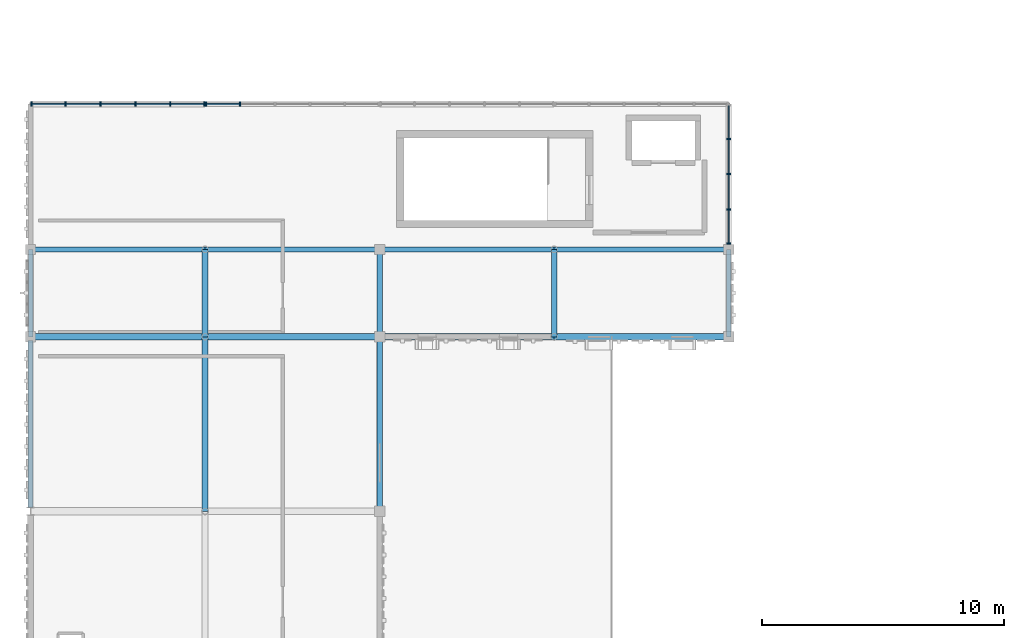
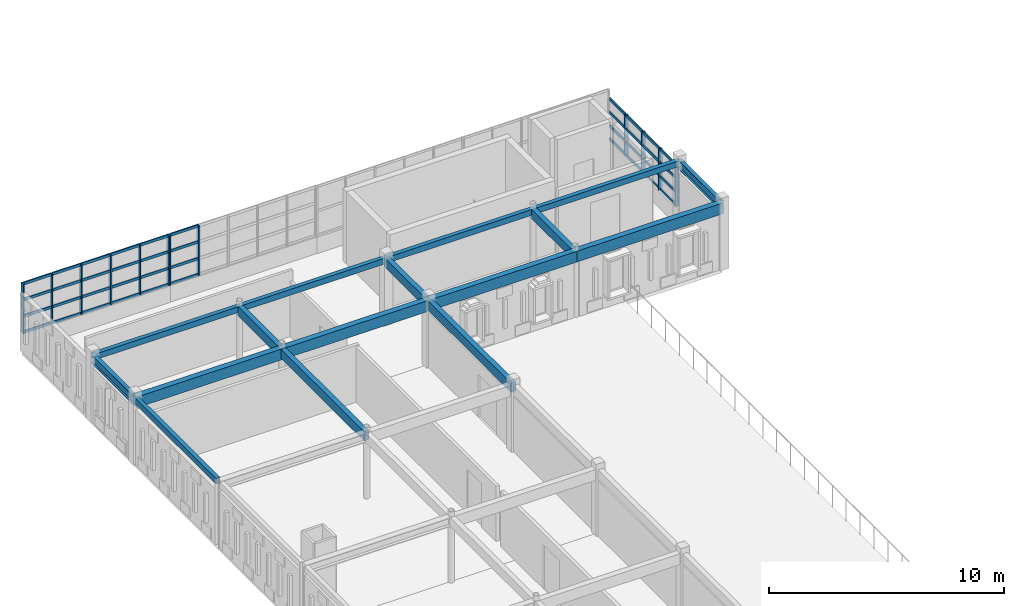
# One storey, part 12 of 46: 52 members, 16 beams, 3 elements without a shape of their own.
"""IFC4 building model written with IfcOpenShell, lengths in metres."""

from ifc_helpers import new_model, si_unit, direction, frame, origin, origin_2d, place, context, subcontext, project, spatial, rectangle, hollow_rectangle, i_section, extrude, material, material_profile, profile_set, type_object, element, aggregate, save


model = new_model("IFC4")

# Units and contexts
model_context = context("Model", 3, precision=1e-05, world=origin(), true_north=direction((0.0, 1.0)))
body_context = subcontext(model_context, "Body", "Model", "MODEL_VIEW")
ifc_project = project(units=[si_unit("LENGTHUNIT", "METRE"), si_unit("AREAUNIT", "SQUARE_METRE"), si_unit("VOLUMEUNIT", "CUBIC_METRE"), si_unit("PLANEANGLEUNIT", "RADIAN"), si_unit("MASSUNIT", "GRAM", prefix="KILO")], contexts=[model_context])

# Site, building, storey
site_placement = place(None, origin())
site = spatial("IfcSite", under=ifc_project, at=site_placement, CompositionType="ELEMENT")
building_placement = place(site_placement, origin())
building = spatial("IfcBuilding", under=site, at=building_placement, Name="Nzembalo Square Collegiate School", CompositionType="ELEMENT")
storey_placement = place(building_placement, frame((0.0, 0.0, 17.340087890625)))
storey = spatial("IfcBuildingStorey", under=building, at=storey_placement, Name="L04", CompositionType="ELEMENT", Elevation=17.340087890625)

# Beams
ifc_material_1 = material(Name="Glulam GL28h", Category="wood")
ifc_material_profile_1 = material_profile(ifc_material_1, rectangle(XDim=0.280029296875, YDim=0.56005859375, at=origin_2d()), Name="GL28h 280x560")
ifc_profile_set_1 = profile_set([ifc_material_profile_1], Name="Glulam GL28h")
beam_type_1 = type_object("IfcBeamType", Name="B05", PredefinedType="BEAM", material=ifc_profile_set_1)
beam_1_placement = place(storey_placement, frame((8.39990234375, 79.199951171875, 3.155029296875), z_axis=(1.0, 0.0, 0.0), x_axis=(0.0, 1.0, 0.0)))
element("IfcBeam", 1, at=beam_1_placement, inside=storey, type_object=beam_type_1, Name="Beam B05 L04", PredefinedType="BEAM", context=body_context, shape_type="SweptSolid", body=[
    extrude(rectangle(XDim=0.280029296875, YDim=0.56005859375, at=origin_2d()), origin(), (0.0, 0.0, 1.0), 7.2001953125),
])
for number, where, z_axis, x_axis, name in (
    (2, (15.60009765625, 79.199951171875, 3.155029296875), (1.0, 0.0, 0.0), (0.0, 1.0, 0.0), "Beam B05 L04"),
    (3, (22.800048828125, 79.199951171875, 3.155029296875), (1.0, 0.0, 0.0), (0.0, 1.0, 0.0), "Beam B05 L04"),
    (4, (30.0, 79.199951171875, 3.155029296875), (1.0, 0.0, 0.0), (0.0, 1.0, 0.0), "Beam B05 L04"),
):
    element("IfcBeam", number, at=place(storey_placement, frame(where, z_axis=z_axis, x_axis=x_axis)), inside=storey, type_object=beam_type_1, Name=name, PredefinedType="BEAM", context=body_context, shape_type="SweptSolid", body=[
        extrude(rectangle(XDim=0.280029296875, YDim=0.56005859375, at=origin_2d()), origin(), (0.0, 0.0, 1.0), 7.199951171875),
    ])
ifc_material_2 = material(Name="Glulam GL28h", Category="wood")
ifc_material_profile_2 = material_profile(ifc_material_2, rectangle(XDim=0.239990234375, YDim=0.47998046875, at=origin_2d()), Name="GL28h 240x480")
ifc_profile_set_2 = profile_set([ifc_material_profile_2], Name="Glulam GL28h")
beam_type_2 = type_object("IfcBeamType", Name="B06", PredefinedType="BEAM", material=ifc_profile_set_2)
beam_2_placement = place(storey_placement, frame((15.60009765625, 72.0, 3.19482421875), z_axis=(0.0, 1.0, 0.0), x_axis=(-1.0, 0.0, 0.0)))
element("IfcBeam", 5, at=beam_2_placement, inside=storey, type_object=beam_type_2, Name="Beam B06 L04", PredefinedType="BEAM", context=body_context, shape_type="SweptSolid", body=[
    extrude(rectangle(XDim=0.239990234375, YDim=0.47998046875, at=origin_2d()), origin(), (0.0, 0.0, 1.0), 7.199951171875),
])
beam_3_placement = place(storey_placement, frame((15.60009765625, 79.199951171875, 3.19482421875), z_axis=(0.0, 1.0, 0.0), x_axis=(-1.0, 0.0, 0.0)))
element("IfcBeam", 6, at=beam_3_placement, inside=storey, type_object=beam_type_2, Name="Beam B06 L04", PredefinedType="BEAM", context=body_context, shape_type="SweptSolid", body=[
    extrude(rectangle(XDim=0.239990234375, YDim=0.47998046875, at=origin_2d()), origin(), (0.0, 0.0, 1.0), 3.60009765625),
])
beam_4_placement = place(storey_placement, frame((22.800048828125, 72.0, 3.19482421875), z_axis=(0.0, 1.0, 0.0), x_axis=(-1.0, 0.0, 0.0)))
element("IfcBeam", 7, at=beam_4_placement, inside=storey, type_object=beam_type_2, Name="Beam B06 L04", PredefinedType="BEAM", context=body_context, shape_type="SweptSolid", body=[
    extrude(rectangle(XDim=0.239990234375, YDim=0.47998046875, at=origin_2d()), origin(), (0.0, 0.0, 1.0), 7.199951171875),
])
for number, where, z_axis, x_axis, name in (
    (8, (22.800048828125, 79.199951171875, 3.19482421875), (0.0, 1.0, 0.0), (-1.0, 0.0, 0.0), "Beam B06 L04"),
    (9, (30.0, 79.199951171875, 3.19482421875), (0.0, 1.0, 0.0), (-1.0, 0.0, 0.0), "Beam B06 L04"),
):
    element("IfcBeam", number, at=place(storey_placement, frame(where, z_axis=z_axis, x_axis=x_axis)), inside=storey, type_object=beam_type_2, Name=name, PredefinedType="BEAM", context=body_context, shape_type="SweptSolid", body=[
        extrude(rectangle(XDim=0.239990234375, YDim=0.47998046875, at=origin_2d()), origin(), (0.0, 0.0, 1.0), 3.60009765625),
    ])
ifc_material_3 = material(Name="Steel S355", Category="steel")
ifc_material_profile_3 = material_profile(ifc_material_3, i_section(OverallWidth=0.18994140625, OverallDepth=0.449951171875, WebThickness=0.009521484375, FlangeThickness=0.0146484375, at=origin_2d()), Name="IPE 450")
ifc_profile_set_3 = profile_set([ifc_material_profile_3], Name="Steel S355")
beam_type_3 = type_object("IfcBeamType", Name="B09", PredefinedType="BEAM", material=ifc_profile_set_3)
for number, where, z_axis, x_axis, name in (
    (10, (8.39990234375, 79.199951171875, 3.2099609375), (0.0, 1.0, 0.0), (-1.0, 0.0, 0.0), "Beam B09 L04"),
    (11, (37.199951171875, 79.199951171875, 3.2099609375), (0.0, 1.0, 0.0), (-1.0, 0.0, 0.0), "Beam B09 L04"),
):
    element("IfcBeam", number, at=place(storey_placement, frame(where, z_axis=z_axis, x_axis=x_axis)), inside=storey, type_object=beam_type_3, Name=name, PredefinedType="BEAM", context=body_context, shape_type="SweptSolid", body=[
        extrude(i_section(OverallWidth=0.18994140625, OverallDepth=0.449951171875, WebThickness=0.009521484375, FlangeThickness=0.0146484375, at=origin_2d()), origin(), (0.0, 0.0, 1.0), 3.60009765625),
    ])
ifc_material_4 = material(Name="Steel S355", Category="steel")
ifc_material_profile_4 = material_profile(ifc_material_4, hollow_rectangle(XDim=0.199951171875, YDim=0.300048828125, WallThickness=0.011962890625, at=origin_2d()), Name="RHS 300x200x12")
ifc_profile_set_4 = profile_set([ifc_material_profile_4], Name="Steel S355")
beam_type_4 = type_object("IfcBeamType", Name="SP03", PredefinedType="SPANDREL", material=ifc_profile_set_4)
beam_5_placement = place(storey_placement, frame((8.39990234375, 82.800048828125, 3.284912109375), z_axis=(1.0, 0.0, 0.0), x_axis=(0.0, 1.0, 0.0)))
element("IfcBeam", 12, at=beam_5_placement, inside=storey, type_object=beam_type_4, Name="Beam SP03 L04", PredefinedType="SPANDREL", context=body_context, shape_type="SweptSolid", body=[
    extrude(hollow_rectangle(XDim=0.199951171875, YDim=0.300048828125, WallThickness=0.011962890625, at=origin_2d()), origin(), (0.0, 0.0, 1.0), 7.2001953125),
])
for number, where, z_axis, x_axis, name in (
    (13, (15.60009765625, 82.800048828125, 3.284912109375), (1.0, 0.0, 0.0), (0.0, 1.0, 0.0), "Beam SP03 L04"),
    (14, (22.800048828125, 82.800048828125, 3.284912109375), (1.0, 0.0, 0.0), (0.0, 1.0, 0.0), "Beam SP03 L04"),
    (15, (30.0, 82.800048828125, 3.284912109375), (1.0, 0.0, 0.0), (0.0, 1.0, 0.0), "Beam SP03 L04"),
):
    element("IfcBeam", number, at=place(storey_placement, frame(where, z_axis=z_axis, x_axis=x_axis)), inside=storey, type_object=beam_type_4, Name=name, PredefinedType="SPANDREL", context=body_context, shape_type="SweptSolid", body=[
        extrude(hollow_rectangle(XDim=0.199951171875, YDim=0.300048828125, WallThickness=0.011962890625, at=origin_2d()), origin(), (0.0, 0.0, 1.0), 7.199951171875),
    ])
beam_6_placement = place(storey_placement, frame((8.39990234375, 72.14990234375, 3.284912109375), z_axis=(0.0, 1.0, 0.0), x_axis=(-1.0, 0.0, 0.0)))
element("IfcBeam", 16, at=beam_6_placement, inside=storey, type_object=beam_type_4, Name="Cantilever outer edge beam SP03 4A L04", PredefinedType="SPANDREL", context=body_context, shape_type="SweptSolid", body=[
    extrude(hollow_rectangle(XDim=0.199951171875, YDim=0.300048828125, WallThickness=0.011962890625, at=origin_2d()), origin(), (0.0, 0.0, 1.0), 6.900146484375),
])

# Curtain wall, members
ifc_material_5 = material(Name="Aluminium 6060-T66", Category="aluminium")
curtain_wall_type_1 = type_object("IfcCurtainWallType", Name="CW-09", PredefinedType="USERDEFINED", material=ifc_material_5)
curtain_wall_1_placement = place(storey_placement, origin())
curtain_wall_1 = element("IfcCurtainWall", 17, at=curtain_wall_1_placement, inside=storey, type_object=curtain_wall_type_1, Name="Curtain wall CW-09 cw:L04:148", ObjectType="UNITISED", PredefinedType="USERDEFINED")
ifc_material_6 = material(Name="Aluminium 6060-T66", Category="aluminium")
ifc_material_profile_5 = material_profile(ifc_material_6, rectangle(XDim=0.06005859375, YDim=0.179931640625, at=origin_2d()), Name="ALU M60x180")
ifc_profile_set_5 = profile_set([ifc_material_profile_5], Name="Aluminium 6060-T66")
member_type_1 = type_object("IfcMemberType", Name="ML01", PredefinedType="MULLION", material=ifc_profile_set_5)
member_1_placement = place(storey_placement, frame((8.429931640625, 88.800048828125, 0.849853515625), z_axis=(0.0, 0.0, 1.0), x_axis=(1.0, 0.0, 0.0)))
member_1 = element("IfcMember", 18, at=member_1_placement, type_object=member_type_1, Name="ML01 mullion 1", PredefinedType="MULLION", context=body_context, shape_type="SweptSolid", body=[
    extrude(rectangle(XDim=0.06005859375, YDim=0.179931640625, at=origin_2d()), origin(), (0.0, 0.0, 1.0), 2.583984375),
])
member_2_placement = place(storey_placement, frame((9.840087890625, 88.800048828125, 0.849853515625), z_axis=(0.0, 0.0, 1.0), x_axis=(1.0, 0.0, 0.0)))
member_2 = element("IfcMember", 19, at=member_2_placement, type_object=member_type_1, Name="ML01 mullion 2", PredefinedType="MULLION", context=body_context, shape_type="SweptSolid", body=[
    extrude(rectangle(XDim=0.06005859375, YDim=0.179931640625, at=origin_2d()), origin(), (0.0, 0.0, 1.0), 2.583984375),
])
member_3_placement = place(storey_placement, frame((11.280029296875, 88.800048828125, 0.849853515625), z_axis=(0.0, 0.0, 1.0), x_axis=(1.0, 0.0, 0.0)))
member_3 = element("IfcMember", 20, at=member_3_placement, type_object=member_type_1, Name="ML01 mullion 3", PredefinedType="MULLION", context=body_context, shape_type="SweptSolid", body=[
    extrude(rectangle(XDim=0.06005859375, YDim=0.179931640625, at=origin_2d()), origin(), (0.0, 0.0, 1.0), 2.583984375),
])
member_4_placement = place(storey_placement, frame((12.719970703125, 88.800048828125, 0.849853515625), z_axis=(0.0, 0.0, 1.0), x_axis=(1.0, 0.0, 0.0)))
member_4 = element("IfcMember", 21, at=member_4_placement, type_object=member_type_1, Name="ML01 mullion 4", PredefinedType="MULLION", context=body_context, shape_type="SweptSolid", body=[
    extrude(rectangle(XDim=0.06005859375, YDim=0.179931640625, at=origin_2d()), origin(), (0.0, 0.0, 1.0), 2.583984375),
])
member_5_placement = place(storey_placement, frame((14.159912109375, 88.800048828125, 0.849853515625), z_axis=(0.0, 0.0, 1.0), x_axis=(1.0, 0.0, 0.0)))
member_5 = element("IfcMember", 22, at=member_5_placement, type_object=member_type_1, Name="ML01 mullion 5", PredefinedType="MULLION", context=body_context, shape_type="SweptSolid", body=[
    extrude(rectangle(XDim=0.06005859375, YDim=0.179931640625, at=origin_2d()), origin(), (0.0, 0.0, 1.0), 2.583984375),
])
member_6_placement = place(storey_placement, frame((15.570068359375, 88.800048828125, 0.849853515625), z_axis=(0.0, 0.0, 1.0), x_axis=(1.0, 0.0, 0.0)))
member_6 = element("IfcMember", 23, at=member_6_placement, type_object=member_type_1, Name="ML01 mullion 6", PredefinedType="MULLION", context=body_context, shape_type="SweptSolid", body=[
    extrude(rectangle(XDim=0.06005859375, YDim=0.179931640625, at=origin_2d()), origin(), (0.0, 0.0, 1.0), 2.583984375),
])

ifc_material_7 = material(Name="Aluminium 6060-T66", Category="aluminium")
curtain_wall_type_2 = type_object("IfcCurtainWallType", Name="CW-10", PredefinedType="USERDEFINED", material=ifc_material_7)
curtain_wall_2_placement = place(storey_placement, origin())
curtain_wall_2 = element("IfcCurtainWall", 24, at=curtain_wall_2_placement, inside=storey, type_object=curtain_wall_type_2, Name="Curtain wall CW-10 cw:L04:149", ObjectType="UNITISED", PredefinedType="USERDEFINED")
member_7_placement = place(storey_placement, frame((15.6298828125, 88.800048828125, 0.849853515625), z_axis=(0.0, 0.0, 1.0), x_axis=(1.0, 0.0, 0.0)))
member_7 = element("IfcMember", 25, at=member_7_placement, type_object=member_type_1, Name="ML01 mullion 1", PredefinedType="MULLION", context=body_context, shape_type="SweptSolid", body=[
    extrude(rectangle(XDim=0.06005859375, YDim=0.179931640625, at=origin_2d()), origin(), (0.0, 0.0, 1.0), 2.583984375),
])
member_8_placement = place(storey_placement, frame((17.0400390625, 88.800048828125, 0.849853515625), z_axis=(0.0, 0.0, 1.0), x_axis=(1.0, 0.0, 0.0)))
member_8 = element("IfcMember", 26, at=member_8_placement, type_object=member_type_1, Name="ML01 mullion 2", PredefinedType="MULLION", context=body_context, shape_type="SweptSolid", body=[
    extrude(rectangle(XDim=0.06005859375, YDim=0.179931640625, at=origin_2d()), origin(), (0.0, 0.0, 1.0), 2.583984375),
])

ifc_material_8 = material(Name="Aluminium 6060-T66", Category="aluminium")
curtain_wall_type_3 = type_object("IfcCurtainWallType", Name="CW-01", PredefinedType="USERDEFINED", material=ifc_material_8)
curtain_wall_3_placement = place(storey_placement, origin())
curtain_wall_3 = element("IfcCurtainWall", 27, at=curtain_wall_3_placement, inside=storey, type_object=curtain_wall_type_3, Name="Curtain wall CW-01 cw:L04:152", ObjectType="UNITISED", PredefinedType="USERDEFINED")
member_9_placement = place(storey_placement, frame((37.199951171875, 83.0419921875, 0.849853515625), z_axis=(0.0, 0.0, 1.0), x_axis=(0.0, 1.0, 0.0)))
member_9 = element("IfcMember", 28, at=member_9_placement, type_object=member_type_1, Name="ML01 mullion 1", PredefinedType="MULLION", context=body_context, shape_type="SweptSolid", body=[
    extrude(rectangle(XDim=0.06005859375, YDim=0.179931640625, at=origin_2d()), origin(), (0.0, 0.0, 1.0), 2.129150390625),
])
member_10_placement = place(storey_placement, frame((37.199951171875, 84.458984375, 0.849853515625), z_axis=(0.0, 0.0, 1.0), x_axis=(0.0, 1.0, 0.0)))
member_10 = element("IfcMember", 29, at=member_10_placement, type_object=member_type_1, Name="ML01 mullion 2", PredefinedType="MULLION", context=body_context, shape_type="SweptSolid", body=[
    extrude(rectangle(XDim=0.06005859375, YDim=0.179931640625, at=origin_2d()), origin(), (0.0, 0.0, 1.0), 2.129150390625),
])
member_11_placement = place(storey_placement, frame((37.199951171875, 85.906005859375, 0.849853515625), z_axis=(0.0, 0.0, 1.0), x_axis=(0.0, 1.0, 0.0)))
member_11 = element("IfcMember", 30, at=member_11_placement, type_object=member_type_1, Name="ML01 mullion 3", PredefinedType="MULLION", context=body_context, shape_type="SweptSolid", body=[
    extrude(rectangle(XDim=0.06005859375, YDim=0.179931640625, at=origin_2d()), origin(), (0.0, 0.0, 1.0), 2.129150390625),
])
member_12_placement = place(storey_placement, frame((37.199951171875, 87.35302734375, 0.849853515625), z_axis=(0.0, 0.0, 1.0), x_axis=(0.0, 1.0, 0.0)))
member_12 = element("IfcMember", 31, at=member_12_placement, type_object=member_type_1, Name="ML01 mullion 4", PredefinedType="MULLION", context=body_context, shape_type="SweptSolid", body=[
    extrude(rectangle(XDim=0.06005859375, YDim=0.179931640625, at=origin_2d()), origin(), (0.0, 0.0, 1.0), 2.129150390625),
])

# Member
ifc_material_9 = material(Name="Aluminium 6060-T66", Category="aluminium")
ifc_material_profile_6 = material_profile(ifc_material_9, rectangle(XDim=0.06005859375, YDim=0.139892578125, at=origin_2d()), Name="ALU T60x140")
ifc_profile_set_6 = profile_set([ifc_material_profile_6], Name="Aluminium 6060-T66")
member_type_2 = type_object("IfcMemberType", Name="TR01", PredefinedType="USERDEFINED", material=ifc_profile_set_6)
member_13_placement = place(storey_placement, frame((8.4599609375, 88.800048828125, 0.8798828125), z_axis=(1.0, 0.0, 0.0), x_axis=(0.0, 1.0, 0.0)))
member_13 = element("IfcMember", 32, at=member_13_placement, type_object=member_type_2, Name="TR01 transom 1-1", ObjectType="TRANSOM", PredefinedType="USERDEFINED", context=body_context, shape_type="SweptSolid", body=[
    extrude(rectangle(XDim=0.06005859375, YDim=0.139892578125, at=origin_2d()), origin(), (0.0, 0.0, 1.0), 1.35009765625),
])

member_14_placement = place(storey_placement, frame((9.8701171875, 88.800048828125, 0.8798828125), z_axis=(1.0, 0.0, 0.0), x_axis=(0.0, 1.0, 0.0)))
member_14 = element("IfcMember", 33, at=member_14_placement, type_object=member_type_2, Name="TR01 transom 1-2", ObjectType="TRANSOM", PredefinedType="USERDEFINED", context=body_context, shape_type="SweptSolid", body=[
    extrude(rectangle(XDim=0.06005859375, YDim=0.139892578125, at=origin_2d()), origin(), (0.0, 0.0, 1.0), 1.3798828125),
])

member_15_placement = place(storey_placement, frame((11.31005859375, 88.800048828125, 0.8798828125), z_axis=(1.0, 0.0, 0.0), x_axis=(0.0, 1.0, 0.0)))
member_15 = element("IfcMember", 34, at=member_15_placement, type_object=member_type_2, Name="TR01 transom 1-3", ObjectType="TRANSOM", PredefinedType="USERDEFINED", context=body_context, shape_type="SweptSolid", body=[
    extrude(rectangle(XDim=0.06005859375, YDim=0.139892578125, at=origin_2d()), origin(), (0.0, 0.0, 1.0), 1.3798828125),
])

member_16_placement = place(storey_placement, frame((12.75, 88.800048828125, 0.8798828125), z_axis=(1.0, 0.0, 0.0), x_axis=(0.0, 1.0, 0.0)))
member_16 = element("IfcMember", 35, at=member_16_placement, type_object=member_type_2, Name="TR01 transom 1-4", ObjectType="TRANSOM", PredefinedType="USERDEFINED", context=body_context, shape_type="SweptSolid", body=[
    extrude(rectangle(XDim=0.06005859375, YDim=0.139892578125, at=origin_2d()), origin(), (0.0, 0.0, 1.0), 1.3798828125),
])

member_17_placement = place(storey_placement, frame((14.18994140625, 88.800048828125, 0.8798828125), z_axis=(1.0, 0.0, 0.0), x_axis=(0.0, 1.0, 0.0)))
member_17 = element("IfcMember", 36, at=member_17_placement, type_object=member_type_2, Name="TR01 transom 1-5", ObjectType="TRANSOM", PredefinedType="USERDEFINED", context=body_context, shape_type="SweptSolid", body=[
    extrude(rectangle(XDim=0.06005859375, YDim=0.139892578125, at=origin_2d()), origin(), (0.0, 0.0, 1.0), 1.35009765625),
])

member_18_placement = place(storey_placement, frame((8.4599609375, 88.800048828125, 1.711181640625), z_axis=(1.0, 0.0, 0.0), x_axis=(0.0, 1.0, 0.0)))
member_18 = element("IfcMember", 37, at=member_18_placement, type_object=member_type_2, Name="TR01 transom 2-1", ObjectType="TRANSOM", PredefinedType="USERDEFINED", context=body_context, shape_type="SweptSolid", body=[
    extrude(rectangle(XDim=0.06005859375, YDim=0.139892578125, at=origin_2d()), origin(), (0.0, 0.0, 1.0), 1.35009765625),
])

member_19_placement = place(storey_placement, frame((9.8701171875, 88.800048828125, 1.711181640625), z_axis=(1.0, 0.0, 0.0), x_axis=(0.0, 1.0, 0.0)))
member_19 = element("IfcMember", 38, at=member_19_placement, type_object=member_type_2, Name="TR01 transom 2-2", ObjectType="TRANSOM", PredefinedType="USERDEFINED", context=body_context, shape_type="SweptSolid", body=[
    extrude(rectangle(XDim=0.06005859375, YDim=0.139892578125, at=origin_2d()), origin(), (0.0, 0.0, 1.0), 1.3798828125),
])

member_20_placement = place(storey_placement, frame((11.31005859375, 88.800048828125, 1.711181640625), z_axis=(1.0, 0.0, 0.0), x_axis=(0.0, 1.0, 0.0)))
member_20 = element("IfcMember", 39, at=member_20_placement, type_object=member_type_2, Name="TR01 transom 2-3", ObjectType="TRANSOM", PredefinedType="USERDEFINED", context=body_context, shape_type="SweptSolid", body=[
    extrude(rectangle(XDim=0.06005859375, YDim=0.139892578125, at=origin_2d()), origin(), (0.0, 0.0, 1.0), 1.3798828125),
])

member_21_placement = place(storey_placement, frame((12.75, 88.800048828125, 1.711181640625), z_axis=(1.0, 0.0, 0.0), x_axis=(0.0, 1.0, 0.0)))
member_21 = element("IfcMember", 40, at=member_21_placement, type_object=member_type_2, Name="TR01 transom 2-4", ObjectType="TRANSOM", PredefinedType="USERDEFINED", context=body_context, shape_type="SweptSolid", body=[
    extrude(rectangle(XDim=0.06005859375, YDim=0.139892578125, at=origin_2d()), origin(), (0.0, 0.0, 1.0), 1.3798828125),
])

member_22_placement = place(storey_placement, frame((14.18994140625, 88.800048828125, 1.711181640625), z_axis=(1.0, 0.0, 0.0), x_axis=(0.0, 1.0, 0.0)))
member_22 = element("IfcMember", 41, at=member_22_placement, type_object=member_type_2, Name="TR01 transom 2-5", ObjectType="TRANSOM", PredefinedType="USERDEFINED", context=body_context, shape_type="SweptSolid", body=[
    extrude(rectangle(XDim=0.06005859375, YDim=0.139892578125, at=origin_2d()), origin(), (0.0, 0.0, 1.0), 1.35009765625),
])

member_23_placement = place(storey_placement, frame((8.4599609375, 88.800048828125, 2.572509765625), z_axis=(1.0, 0.0, 0.0), x_axis=(0.0, 1.0, 0.0)))
member_23 = element("IfcMember", 42, at=member_23_placement, type_object=member_type_2, Name="TR01 transom 3-1", ObjectType="TRANSOM", PredefinedType="USERDEFINED", context=body_context, shape_type="SweptSolid", body=[
    extrude(rectangle(XDim=0.06005859375, YDim=0.139892578125, at=origin_2d()), origin(), (0.0, 0.0, 1.0), 1.35009765625),
])

member_24_placement = place(storey_placement, frame((9.8701171875, 88.800048828125, 2.572509765625), z_axis=(1.0, 0.0, 0.0), x_axis=(0.0, 1.0, 0.0)))
member_24 = element("IfcMember", 43, at=member_24_placement, type_object=member_type_2, Name="TR01 transom 3-2", ObjectType="TRANSOM", PredefinedType="USERDEFINED", context=body_context, shape_type="SweptSolid", body=[
    extrude(rectangle(XDim=0.06005859375, YDim=0.139892578125, at=origin_2d()), origin(), (0.0, 0.0, 1.0), 1.3798828125),
])

member_25_placement = place(storey_placement, frame((11.31005859375, 88.800048828125, 2.572509765625), z_axis=(1.0, 0.0, 0.0), x_axis=(0.0, 1.0, 0.0)))
member_25 = element("IfcMember", 44, at=member_25_placement, type_object=member_type_2, Name="TR01 transom 3-3", ObjectType="TRANSOM", PredefinedType="USERDEFINED", context=body_context, shape_type="SweptSolid", body=[
    extrude(rectangle(XDim=0.06005859375, YDim=0.139892578125, at=origin_2d()), origin(), (0.0, 0.0, 1.0), 1.3798828125),
])

member_26_placement = place(storey_placement, frame((12.75, 88.800048828125, 2.572509765625), z_axis=(1.0, 0.0, 0.0), x_axis=(0.0, 1.0, 0.0)))
member_26 = element("IfcMember", 45, at=member_26_placement, type_object=member_type_2, Name="TR01 transom 3-4", ObjectType="TRANSOM", PredefinedType="USERDEFINED", context=body_context, shape_type="SweptSolid", body=[
    extrude(rectangle(XDim=0.06005859375, YDim=0.139892578125, at=origin_2d()), origin(), (0.0, 0.0, 1.0), 1.3798828125),
])

member_27_placement = place(storey_placement, frame((14.18994140625, 88.800048828125, 2.572509765625), z_axis=(1.0, 0.0, 0.0), x_axis=(0.0, 1.0, 0.0)))
member_27 = element("IfcMember", 46, at=member_27_placement, type_object=member_type_2, Name="TR01 transom 3-5", ObjectType="TRANSOM", PredefinedType="USERDEFINED", context=body_context, shape_type="SweptSolid", body=[
    extrude(rectangle(XDim=0.06005859375, YDim=0.139892578125, at=origin_2d()), origin(), (0.0, 0.0, 1.0), 1.35009765625),
])

member_28_placement = place(storey_placement, frame((8.4599609375, 88.800048828125, 3.40380859375), z_axis=(1.0, 0.0, 0.0), x_axis=(0.0, 1.0, 0.0)))
member_28 = element("IfcMember", 47, at=member_28_placement, type_object=member_type_2, Name="TR01 transom 4-1", ObjectType="TRANSOM", PredefinedType="USERDEFINED", context=body_context, shape_type="SweptSolid", body=[
    extrude(rectangle(XDim=0.06005859375, YDim=0.139892578125, at=origin_2d()), origin(), (0.0, 0.0, 1.0), 1.35009765625),
])

member_29_placement = place(storey_placement, frame((9.8701171875, 88.800048828125, 3.40380859375), z_axis=(1.0, 0.0, 0.0), x_axis=(0.0, 1.0, 0.0)))
member_29 = element("IfcMember", 48, at=member_29_placement, type_object=member_type_2, Name="TR01 transom 4-2", ObjectType="TRANSOM", PredefinedType="USERDEFINED", context=body_context, shape_type="SweptSolid", body=[
    extrude(rectangle(XDim=0.06005859375, YDim=0.139892578125, at=origin_2d()), origin(), (0.0, 0.0, 1.0), 1.3798828125),
])

member_30_placement = place(storey_placement, frame((11.31005859375, 88.800048828125, 3.40380859375), z_axis=(1.0, 0.0, 0.0), x_axis=(0.0, 1.0, 0.0)))
member_30 = element("IfcMember", 49, at=member_30_placement, type_object=member_type_2, Name="TR01 transom 4-3", ObjectType="TRANSOM", PredefinedType="USERDEFINED", context=body_context, shape_type="SweptSolid", body=[
    extrude(rectangle(XDim=0.06005859375, YDim=0.139892578125, at=origin_2d()), origin(), (0.0, 0.0, 1.0), 1.3798828125),
])

member_31_placement = place(storey_placement, frame((12.75, 88.800048828125, 3.40380859375), z_axis=(1.0, 0.0, 0.0), x_axis=(0.0, 1.0, 0.0)))
member_31 = element("IfcMember", 50, at=member_31_placement, type_object=member_type_2, Name="TR01 transom 4-4", ObjectType="TRANSOM", PredefinedType="USERDEFINED", context=body_context, shape_type="SweptSolid", body=[
    extrude(rectangle(XDim=0.06005859375, YDim=0.139892578125, at=origin_2d()), origin(), (0.0, 0.0, 1.0), 1.3798828125),
])

member_32_placement = place(storey_placement, frame((14.18994140625, 88.800048828125, 3.40380859375), z_axis=(1.0, 0.0, 0.0), x_axis=(0.0, 1.0, 0.0)))
member_32 = element("IfcMember", 51, at=member_32_placement, type_object=member_type_2, Name="TR01 transom 4-5", ObjectType="TRANSOM", PredefinedType="USERDEFINED", context=body_context, shape_type="SweptSolid", body=[
    extrude(rectangle(XDim=0.06005859375, YDim=0.139892578125, at=origin_2d()), origin(), (0.0, 0.0, 1.0), 1.35009765625),
])

aggregate(curtain_wall_1, [member_1, member_2, member_3, member_4, member_5, member_6, member_13, member_14, member_15, member_16, member_17, member_18, member_19, member_20, member_21, member_22, member_23, member_24, member_25, member_26, member_27, member_28, member_29, member_30, member_31, member_32])

member_33_placement = place(storey_placement, frame((15.659912109375, 88.800048828125, 0.8798828125), z_axis=(1.0, 0.0, 0.0), x_axis=(0.0, 1.0, 0.0)))
member_33 = element("IfcMember", 52, at=member_33_placement, type_object=member_type_2, Name="TR01 transom 1-1", ObjectType="TRANSOM", PredefinedType="USERDEFINED", context=body_context, shape_type="SweptSolid", body=[
    extrude(rectangle(XDim=0.06005859375, YDim=0.139892578125, at=origin_2d()), origin(), (0.0, 0.0, 1.0), 1.35009765625),
])

member_34_placement = place(storey_placement, frame((15.659912109375, 88.800048828125, 1.711181640625), z_axis=(1.0, 0.0, 0.0), x_axis=(0.0, 1.0, 0.0)))
member_34 = element("IfcMember", 53, at=member_34_placement, type_object=member_type_2, Name="TR01 transom 2-1", ObjectType="TRANSOM", PredefinedType="USERDEFINED", context=body_context, shape_type="SweptSolid", body=[
    extrude(rectangle(XDim=0.06005859375, YDim=0.139892578125, at=origin_2d()), origin(), (0.0, 0.0, 1.0), 1.35009765625),
])

member_35_placement = place(storey_placement, frame((15.659912109375, 88.800048828125, 2.572509765625), z_axis=(1.0, 0.0, 0.0), x_axis=(0.0, 1.0, 0.0)))
member_35 = element("IfcMember", 54, at=member_35_placement, type_object=member_type_2, Name="TR01 transom 3-1", ObjectType="TRANSOM", PredefinedType="USERDEFINED", context=body_context, shape_type="SweptSolid", body=[
    extrude(rectangle(XDim=0.06005859375, YDim=0.139892578125, at=origin_2d()), origin(), (0.0, 0.0, 1.0), 1.35009765625),
])

member_36_placement = place(storey_placement, frame((15.659912109375, 88.800048828125, 3.40380859375), z_axis=(1.0, 0.0, 0.0), x_axis=(0.0, 1.0, 0.0)))
member_36 = element("IfcMember", 55, at=member_36_placement, type_object=member_type_2, Name="TR01 transom 4-1", ObjectType="TRANSOM", PredefinedType="USERDEFINED", context=body_context, shape_type="SweptSolid", body=[
    extrude(rectangle(XDim=0.06005859375, YDim=0.139892578125, at=origin_2d()), origin(), (0.0, 0.0, 1.0), 1.35009765625),
])

aggregate(curtain_wall_2, [member_7, member_8, member_33, member_34, member_35, member_36])

member_37_placement = place(storey_placement, frame((37.199951171875, 83.072021484375, 0.8798828125), z_axis=(0.0, 1.0, 0.0), x_axis=(-1.0, 0.0, 0.0)))
member_37 = element("IfcMember", 56, at=member_37_placement, type_object=member_type_2, Name="TR01 transom 1-1", ObjectType="TRANSOM", PredefinedType="USERDEFINED", context=body_context, shape_type="SweptSolid", body=[
    extrude(rectangle(XDim=0.06005859375, YDim=0.139892578125, at=origin_2d()), origin(), (0.0, 0.0, 1.0), 1.35693359375),
])

member_38_placement = place(storey_placement, frame((37.199951171875, 84.489013671875, 0.8798828125), z_axis=(0.0, 1.0, 0.0), x_axis=(-1.0, 0.0, 0.0)))
member_38 = element("IfcMember", 57, at=member_38_placement, type_object=member_type_2, Name="TR01 transom 1-2", ObjectType="TRANSOM", PredefinedType="USERDEFINED", context=body_context, shape_type="SweptSolid", body=[
    extrude(rectangle(XDim=0.06005859375, YDim=0.139892578125, at=origin_2d()), origin(), (0.0, 0.0, 1.0), 1.386962890625),
])

member_39_placement = place(storey_placement, frame((37.199951171875, 85.93603515625, 0.8798828125), z_axis=(0.0, 1.0, 0.0), x_axis=(-1.0, 0.0, 0.0)))
member_39 = element("IfcMember", 58, at=member_39_placement, type_object=member_type_2, Name="TR01 transom 1-3", ObjectType="TRANSOM", PredefinedType="USERDEFINED", context=body_context, shape_type="SweptSolid", body=[
    extrude(rectangle(XDim=0.06005859375, YDim=0.139892578125, at=origin_2d()), origin(), (0.0, 0.0, 1.0), 1.386962890625),
])

member_40_placement = place(storey_placement, frame((37.199951171875, 87.383056640625, 0.8798828125), z_axis=(0.0, 1.0, 0.0), x_axis=(-1.0, 0.0, 0.0)))
member_40 = element("IfcMember", 59, at=member_40_placement, type_object=member_type_2, Name="TR01 transom 1-4", ObjectType="TRANSOM", PredefinedType="USERDEFINED", context=body_context, shape_type="SweptSolid", body=[
    extrude(rectangle(XDim=0.06005859375, YDim=0.139892578125, at=origin_2d()), origin(), (0.0, 0.0, 1.0), 1.35693359375),
])

member_41_placement = place(storey_placement, frame((37.199951171875, 83.072021484375, 1.5595703125), z_axis=(0.0, 1.0, 0.0), x_axis=(-1.0, 0.0, 0.0)))
member_41 = element("IfcMember", 60, at=member_41_placement, type_object=member_type_2, Name="TR01 transom 2-1", ObjectType="TRANSOM", PredefinedType="USERDEFINED", context=body_context, shape_type="SweptSolid", body=[
    extrude(rectangle(XDim=0.06005859375, YDim=0.139892578125, at=origin_2d()), origin(), (0.0, 0.0, 1.0), 1.35693359375),
])

member_42_placement = place(storey_placement, frame((37.199951171875, 84.489013671875, 1.5595703125), z_axis=(0.0, 1.0, 0.0), x_axis=(-1.0, 0.0, 0.0)))
member_42 = element("IfcMember", 61, at=member_42_placement, type_object=member_type_2, Name="TR01 transom 2-2", ObjectType="TRANSOM", PredefinedType="USERDEFINED", context=body_context, shape_type="SweptSolid", body=[
    extrude(rectangle(XDim=0.06005859375, YDim=0.139892578125, at=origin_2d()), origin(), (0.0, 0.0, 1.0), 1.386962890625),
])

member_43_placement = place(storey_placement, frame((37.199951171875, 85.93603515625, 1.5595703125), z_axis=(0.0, 1.0, 0.0), x_axis=(-1.0, 0.0, 0.0)))
member_43 = element("IfcMember", 62, at=member_43_placement, type_object=member_type_2, Name="TR01 transom 2-3", ObjectType="TRANSOM", PredefinedType="USERDEFINED", context=body_context, shape_type="SweptSolid", body=[
    extrude(rectangle(XDim=0.06005859375, YDim=0.139892578125, at=origin_2d()), origin(), (0.0, 0.0, 1.0), 1.386962890625),
])

member_44_placement = place(storey_placement, frame((37.199951171875, 87.383056640625, 1.5595703125), z_axis=(0.0, 1.0, 0.0), x_axis=(-1.0, 0.0, 0.0)))
member_44 = element("IfcMember", 63, at=member_44_placement, type_object=member_type_2, Name="TR01 transom 2-4", ObjectType="TRANSOM", PredefinedType="USERDEFINED", context=body_context, shape_type="SweptSolid", body=[
    extrude(rectangle(XDim=0.06005859375, YDim=0.139892578125, at=origin_2d()), origin(), (0.0, 0.0, 1.0), 1.35693359375),
])

member_45_placement = place(storey_placement, frame((37.199951171875, 83.072021484375, 2.269287109375), z_axis=(0.0, 1.0, 0.0), x_axis=(-1.0, 0.0, 0.0)))
member_45 = element("IfcMember", 64, at=member_45_placement, type_object=member_type_2, Name="TR01 transom 3-1", ObjectType="TRANSOM", PredefinedType="USERDEFINED", context=body_context, shape_type="SweptSolid", body=[
    extrude(rectangle(XDim=0.06005859375, YDim=0.139892578125, at=origin_2d()), origin(), (0.0, 0.0, 1.0), 1.35693359375),
])

member_46_placement = place(storey_placement, frame((37.199951171875, 84.489013671875, 2.269287109375), z_axis=(0.0, 1.0, 0.0), x_axis=(-1.0, 0.0, 0.0)))
member_46 = element("IfcMember", 65, at=member_46_placement, type_object=member_type_2, Name="TR01 transom 3-2", ObjectType="TRANSOM", PredefinedType="USERDEFINED", context=body_context, shape_type="SweptSolid", body=[
    extrude(rectangle(XDim=0.06005859375, YDim=0.139892578125, at=origin_2d()), origin(), (0.0, 0.0, 1.0), 1.386962890625),
])

member_47_placement = place(storey_placement, frame((37.199951171875, 85.93603515625, 2.269287109375), z_axis=(0.0, 1.0, 0.0), x_axis=(-1.0, 0.0, 0.0)))
member_47 = element("IfcMember", 66, at=member_47_placement, type_object=member_type_2, Name="TR01 transom 3-3", ObjectType="TRANSOM", PredefinedType="USERDEFINED", context=body_context, shape_type="SweptSolid", body=[
    extrude(rectangle(XDim=0.06005859375, YDim=0.139892578125, at=origin_2d()), origin(), (0.0, 0.0, 1.0), 1.386962890625),
])

member_48_placement = place(storey_placement, frame((37.199951171875, 87.383056640625, 2.269287109375), z_axis=(0.0, 1.0, 0.0), x_axis=(-1.0, 0.0, 0.0)))
member_48 = element("IfcMember", 67, at=member_48_placement, type_object=member_type_2, Name="TR01 transom 3-4", ObjectType="TRANSOM", PredefinedType="USERDEFINED", context=body_context, shape_type="SweptSolid", body=[
    extrude(rectangle(XDim=0.06005859375, YDim=0.139892578125, at=origin_2d()), origin(), (0.0, 0.0, 1.0), 1.35693359375),
])

member_49_placement = place(storey_placement, frame((37.199951171875, 83.072021484375, 2.948974609375), z_axis=(0.0, 1.0, 0.0), x_axis=(-1.0, 0.0, 0.0)))
member_49 = element("IfcMember", 68, at=member_49_placement, type_object=member_type_2, Name="TR01 transom 4-1", ObjectType="TRANSOM", PredefinedType="USERDEFINED", context=body_context, shape_type="SweptSolid", body=[
    extrude(rectangle(XDim=0.06005859375, YDim=0.139892578125, at=origin_2d()), origin(), (0.0, 0.0, 1.0), 1.35693359375),
])

member_50_placement = place(storey_placement, frame((37.199951171875, 84.489013671875, 2.948974609375), z_axis=(0.0, 1.0, 0.0), x_axis=(-1.0, 0.0, 0.0)))
member_50 = element("IfcMember", 69, at=member_50_placement, type_object=member_type_2, Name="TR01 transom 4-2", ObjectType="TRANSOM", PredefinedType="USERDEFINED", context=body_context, shape_type="SweptSolid", body=[
    extrude(rectangle(XDim=0.06005859375, YDim=0.139892578125, at=origin_2d()), origin(), (0.0, 0.0, 1.0), 1.386962890625),
])

member_51_placement = place(storey_placement, frame((37.199951171875, 85.93603515625, 2.948974609375), z_axis=(0.0, 1.0, 0.0), x_axis=(-1.0, 0.0, 0.0)))
member_51 = element("IfcMember", 70, at=member_51_placement, type_object=member_type_2, Name="TR01 transom 4-3", ObjectType="TRANSOM", PredefinedType="USERDEFINED", context=body_context, shape_type="SweptSolid", body=[
    extrude(rectangle(XDim=0.06005859375, YDim=0.139892578125, at=origin_2d()), origin(), (0.0, 0.0, 1.0), 1.386962890625),
])

member_52_placement = place(storey_placement, frame((37.199951171875, 87.383056640625, 2.948974609375), z_axis=(0.0, 1.0, 0.0), x_axis=(-1.0, 0.0, 0.0)))
member_52 = element("IfcMember", 71, at=member_52_placement, type_object=member_type_2, Name="TR01 transom 4-4", ObjectType="TRANSOM", PredefinedType="USERDEFINED", context=body_context, shape_type="SweptSolid", body=[
    extrude(rectangle(XDim=0.06005859375, YDim=0.139892578125, at=origin_2d()), origin(), (0.0, 0.0, 1.0), 1.35693359375),
])

aggregate(curtain_wall_3, [member_9, member_10, member_11, member_12, member_37, member_38, member_39, member_40, member_41, member_42, member_43, member_44, member_45, member_46, member_47, member_48, member_49, member_50, member_51, member_52])

save(model, "model.ifc")
